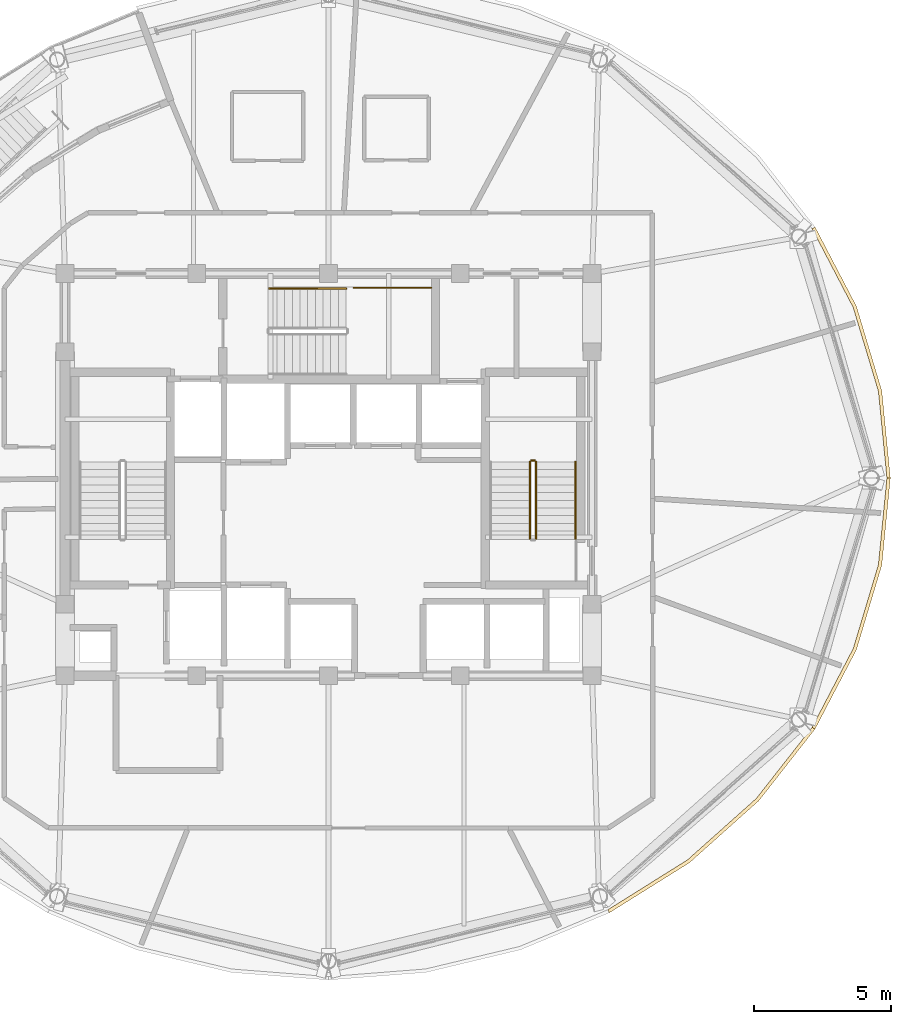
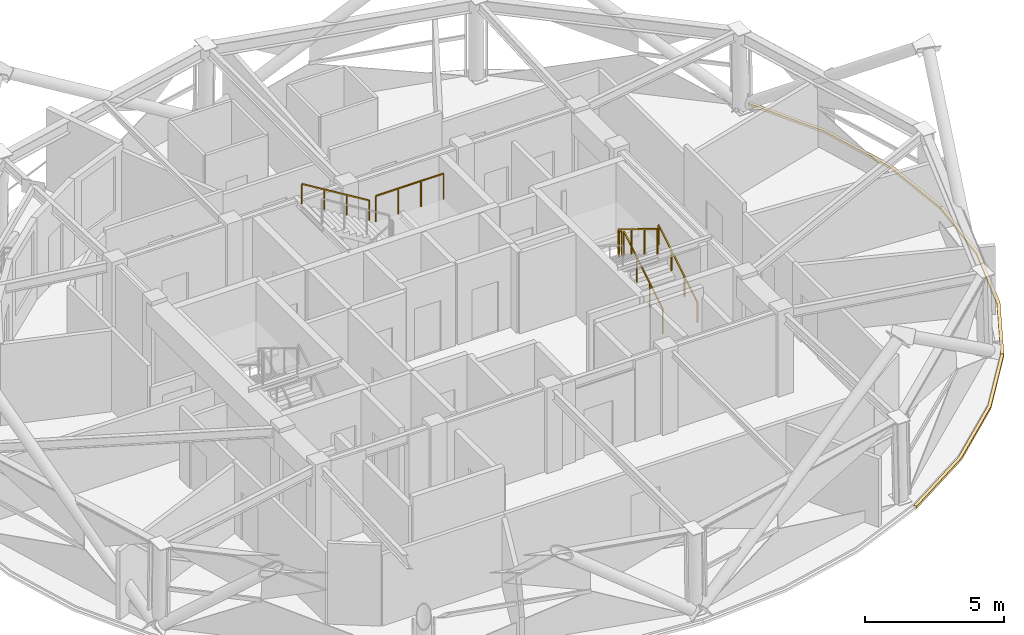
# One storey, part 15 of 16: 6 railings, 3 coverings.
"""IFC4 building model written with IfcOpenShell, lengths in metres."""

from ifc_helpers import new_model, si_unit, direction, frame, origin, origin_2d, place, context, subcontext, project, spatial, polyline, rectangle, outline, extrude, material, layer, layer_set, type_object, element, save


model = new_model("IFC4")

# Units and contexts
model_context = context("Model", 3, precision=1e-05, world=origin(), true_north=direction((0.0, 1.0)))
body_context = subcontext(model_context, "Body", "Model", "MODEL_VIEW")
ifc_project = project(units=[si_unit("LENGTHUNIT", "METRE"), si_unit("AREAUNIT", "SQUARE_METRE"), si_unit("VOLUMEUNIT", "CUBIC_METRE"), si_unit("PLANEANGLEUNIT", "RADIAN"), si_unit("MASSUNIT", "GRAM", prefix="KILO")], contexts=[model_context])

# Site, building, storey
site_placement = place(None, origin())
site = spatial("IfcSite", under=ifc_project, at=site_placement, CompositionType="ELEMENT")
building_placement = place(site_placement, origin())
building = spatial("IfcBuilding", under=site, at=building_placement, Name="Vantalir Tower", CompositionType="ELEMENT")
storey_placement = place(building_placement, frame((0.0, 0.0, 267.60009765625)))
storey = spatial("IfcBuildingStorey", under=building, at=storey_placement, Name="L67", CompositionType="ELEMENT", Elevation=267.60009765625)

# Coverings
ifc_material_1 = material(Name="Anodised champagne aluminium sill fascia", Category="aluminium")
ifc_layer = layer(ifc_material_1, 0.125)
ifc_layer_set = layer_set([ifc_layer], Name="Anodised champagne aluminium sill fascia")
covering_type = type_object("IfcCoveringType", Name="COV-SLAB-FASCIA-125", PredefinedType="CLADDING", material=ifc_layer_set)
covering_1_placement = place(storey_placement, frame((0.0, 0.0, -0.18017578125)))
element("IfcCovering", 1, at=covering_1_placement, inside=storey, type_object=covering_type, Name="L67 Perimeter Slab-Edge Sill Fascia 01", PredefinedType="CLADDING", context=body_context, shape_type="SweptSolid", body=[
    extrude(outline(polyline([(51.965087890625, 25.0), (51.654052734375, 28.175048828125), (50.73095703125, 31.25390625), (49.222900390625, 34.14306640625), (49.114990234375, 34.080078125), (50.613037109375, 31.2109375), (51.531005859375, 28.154052734375), (51.840087890625, 25.0), (51.965087890625, 25.0)])), origin(), (0.0, 0.0, 1.0), 0.10498046875),
])
covering_2_placement = place(storey_placement, frame((0.0, 0.0, -0.18017578125)))
element("IfcCovering", 2, at=covering_2_placement, inside=storey, type_object=covering_type, Name="L67 Perimeter Slab-Edge Sill Fascia 11", PredefinedType="CLADDING", context=body_context, shape_type="SweptSolid", body=[
    extrude(outline(polyline([(41.73291015625, 9.1640625), (44.655029296875, 10.991943359375), (47.177001953125, 13.24609375), (49.222900390625, 15.85693359375), (49.114990234375, 15.9189453125), (47.0810546875, 13.325927734375), (44.573974609375, 11.087890625), (41.669921875, 9.27197265625), (41.73291015625, 9.1640625)])), origin(), (0.0, 0.0, 1.0), 0.10498046875),
])
covering_3_placement = place(storey_placement, frame((0.0, 0.0, -0.18017578125)))
element("IfcCovering", 3, at=covering_3_placement, inside=storey, type_object=covering_type, Name="L67 Perimeter Slab-Edge Sill Fascia 12", PredefinedType="CLADDING", context=body_context, shape_type="SweptSolid", body=[
    extrude(outline(polyline([(49.222900390625, 15.85693359375), (50.73095703125, 18.74609375), (51.654052734375, 21.824951171875), (51.965087890625, 25.0), (51.840087890625, 25.0), (51.531005859375, 21.845947265625), (50.613037109375, 18.7890625), (49.114990234375, 15.9189453125), (49.222900390625, 15.85693359375)])), origin(), (0.0, 0.0, 1.0), 0.10498046875),
])

# Railings
ifc_material_2 = material(Name="Anodised aluminium and stainless steel guard", Category="steel")
railing_type_1 = type_object("IfcRailingType", Name="RAL-GUARD-1120", PredefinedType="GUARDRAIL", material=ifc_material_2)
railing_1_placement = place(storey_placement, frame((39.06005859375, 22.7900390625, 0.17041015625)))
element("IfcRailing", 4, at=railing_1_placement, inside=storey, type_object=railing_type_1, Name="L67 ST2 stair guard 1", PredefinedType="GUARDRAIL", context=body_context, shape_type="SweptSolid", body=[
    extrude(rectangle(XDim=0.048095703125, YDim=0.048095703125, at=origin_2d()), frame((0.0, 0.0, 1.09619140625), z_axis=(0.0, 0.854169791009, 0.51999420009), x_axis=(-1.0, 0.0, 0.0)), (0.0, 0.0, 1.0), 3.278076171875),
    extrude(rectangle(XDim=0.0419921875, YDim=0.0419921875, at=origin_2d()), origin(), (0.0, 0.0, 1.0), 1.072021484375),
    extrude(rectangle(XDim=0.0419921875, YDim=0.0419921875, at=origin_2d()), frame((0.0, 0.933349609375, 0.568115234375)), (0.0, 0.0, 1.0), 1.072021484375),
    extrude(rectangle(XDim=0.0419921875, YDim=0.0419921875, at=origin_2d()), frame((0.0, 1.86669921875, 1.136474609375)), (0.0, 0.0, 1.0), 1.072021484375),
    extrude(rectangle(XDim=0.0419921875, YDim=0.0419921875, at=origin_2d()), frame((0.0, 2.800048828125, 1.70458984375)), (0.0, 0.0, 1.0), 1.072021484375),
])
railing_2_placement = place(storey_placement, frame((39.010009765625, 25.639892578125, 1.875)))
element("IfcRailing", 5, at=railing_2_placement, inside=storey, type_object=railing_type_1, Name="L67 ST2 stair guard 2", PredefinedType="GUARDRAIL", context=body_context, shape_type="SweptSolid", body=[
    extrude(rectangle(XDim=0.048095703125, YDim=0.048095703125, at=origin_2d()), frame((0.0, 0.0, 1.09619140625), z_axis=(-1.0, 0.0, 0.0), x_axis=(0.0, -1.0, 0.0)), (0.0, 0.0, 1.0), 0.1201171875),
    extrude(rectangle(XDim=0.0419921875, YDim=0.0419921875, at=origin_2d()), origin(), (0.0, 0.0, 1.0), 1.072021484375),
    extrude(rectangle(XDim=0.0419921875, YDim=0.0419921875, at=origin_2d()), frame((-0.1201171875, 0.0, 0.0)), (0.0, 0.0, 1.0), 1.072021484375),
])
railing_3_placement = place(storey_placement, frame((38.840087890625, 25.590087890625, 2.04541015625)))
element("IfcRailing", 6, at=railing_3_placement, inside=storey, type_object=railing_type_1, Name="L67 ST2 stair guard 3", PredefinedType="GUARDRAIL", context=body_context, shape_type="SweptSolid", body=[
    extrude(rectangle(XDim=0.048095703125, YDim=0.048095703125, at=origin_2d()), frame((0.0, 0.0, 1.09619140625), z_axis=(0.0, -0.854169791009, 0.51999420009), x_axis=(1.0, 0.0, 0.0)), (0.0, 0.0, 1.0), 3.278076171875),
    extrude(rectangle(XDim=0.0419921875, YDim=0.0419921875, at=origin_2d()), origin(), (0.0, 0.0, 1.0), 1.072021484375),
    extrude(rectangle(XDim=0.0419921875, YDim=0.0419921875, at=origin_2d()), frame((0.0, -0.933349609375, 0.568115234375)), (0.0, 0.0, 1.0), 1.072021484375),
    extrude(rectangle(XDim=0.0419921875, YDim=0.0419921875, at=origin_2d()), frame((0.0, -1.86669921875, 1.136474609375)), (0.0, 0.0, 1.0), 1.072021484375),
    extrude(rectangle(XDim=0.0419921875, YDim=0.0419921875, at=origin_2d()), frame((0.0, -2.800048828125, 1.70458984375)), (0.0, 0.0, 1.0), 1.072021484375),
])
railing_4_placement = place(storey_placement, frame((32.419921875, 31.929931640625, 1.875)))
element("IfcRailing", 7, at=railing_4_placement, inside=storey, type_object=railing_type_1, Name="L67 Stair ST3 Half-Landing Slot Guard", PredefinedType="GUARDRAIL", context=body_context, shape_type="SweptSolid", body=[
    extrude(rectangle(XDim=0.048095703125, YDim=0.048095703125, at=origin_2d()), frame((0.0, 0.0, 1.1259765625), z_axis=(1.0, 0.0, 0.0), x_axis=(0.0, 1.0, 0.0)), (0.0, 0.0, 1.0), 2.820068359375),
    extrude(rectangle(XDim=0.0419921875, YDim=0.0419921875, at=origin_2d()), origin(), (0.0, 0.0, 1.0), 1.101806640625),
    extrude(rectangle(XDim=0.0419921875, YDim=0.0419921875, at=origin_2d()), frame((0.93994140625, 0.0, 0.0)), (0.0, 0.0, 1.0), 1.101806640625),
    extrude(rectangle(XDim=0.0419921875, YDim=0.0419921875, at=origin_2d()), frame((1.880126953125, 0.0, 0.0)), (0.0, 0.0, 1.0), 1.101806640625),
    extrude(rectangle(XDim=0.0419921875, YDim=0.0419921875, at=origin_2d()), frame((2.820068359375, 0.0, 0.0)), (0.0, 0.0, 1.0), 1.101806640625),
])
ifc_material_3 = material(Name="Brushed stainless steel tubular handrail", Category="steel")
railing_type_2 = type_object("IfcRailingType", Name="RAL-HANDRAIL-900", PredefinedType="HANDRAIL", material=ifc_material_3)
railing_5_placement = place(storey_placement, frame((40.5, 22.7900390625, 0.17041015625)))
element("IfcRailing", 8, at=railing_5_placement, inside=storey, type_object=railing_type_2, Name="L67 ST2 stair handrail 1", PredefinedType="HANDRAIL", context=body_context, shape_type="SweptSolid", body=[
    extrude(rectangle(XDim=0.048095703125, YDim=0.048095703125, at=origin_2d()), frame((0.0, 0.0, 0.8759765625), z_axis=(0.0, 0.854169791009, 0.51999420009), x_axis=(-1.0, 0.0, 0.0)), (0.0, 0.0, 1.0), 3.278076171875),
    extrude(rectangle(XDim=0.0419921875, YDim=0.0419921875, at=origin_2d()), origin(), (0.0, 0.0, 1.0), 0.851806640625),
    extrude(rectangle(XDim=0.0419921875, YDim=0.0419921875, at=origin_2d()), frame((0.0, 0.933349609375, 0.568115234375)), (0.0, 0.0, 1.0), 0.851806640625),
    extrude(rectangle(XDim=0.0419921875, YDim=0.0419921875, at=origin_2d()), frame((0.0, 1.86669921875, 1.136474609375)), (0.0, 0.0, 1.0), 0.851806640625),
    extrude(rectangle(XDim=0.0419921875, YDim=0.0419921875, at=origin_2d()), frame((0.0, 2.800048828125, 1.70458984375)), (0.0, 0.0, 1.0), 0.851806640625),
])
railing_6_placement = place(storey_placement, frame((32.139892578125, 31.89990234375, 2.04541015625)))
element("IfcRailing", 9, at=railing_6_placement, inside=storey, type_object=railing_type_2, Name="L67 ST3 stair handrail 2", PredefinedType="HANDRAIL", context=body_context, shape_type="SweptSolid", body=[
    extrude(rectangle(XDim=0.048095703125, YDim=0.048095703125, at=origin_2d()), frame((0.0, 0.0, 0.8759765625), z_axis=(-0.854149651119, 0.0, 0.520027281489), x_axis=(0.0, -1.0, 0.0)), (0.0, 0.0, 1.0), 3.27783203125),
    extrude(rectangle(XDim=0.0419921875, YDim=0.0419921875, at=origin_2d()), origin(), (0.0, 0.0, 1.0), 0.851806640625),
    extrude(rectangle(XDim=0.0419921875, YDim=0.0419921875, at=origin_2d()), frame((-0.933349609375, 0.0, 0.568115234375)), (0.0, 0.0, 1.0), 0.851806640625),
    extrude(rectangle(XDim=0.0419921875, YDim=0.0419921875, at=origin_2d()), frame((-1.866455078125, 0.0, 1.136474609375)), (0.0, 0.0, 1.0), 0.851806640625),
    extrude(rectangle(XDim=0.0419921875, YDim=0.0419921875, at=origin_2d()), frame((-2.7998046875, 0.0, 1.70458984375)), (0.0, 0.0, 1.0), 0.851806640625),
])

save(model, "model.ifc")
